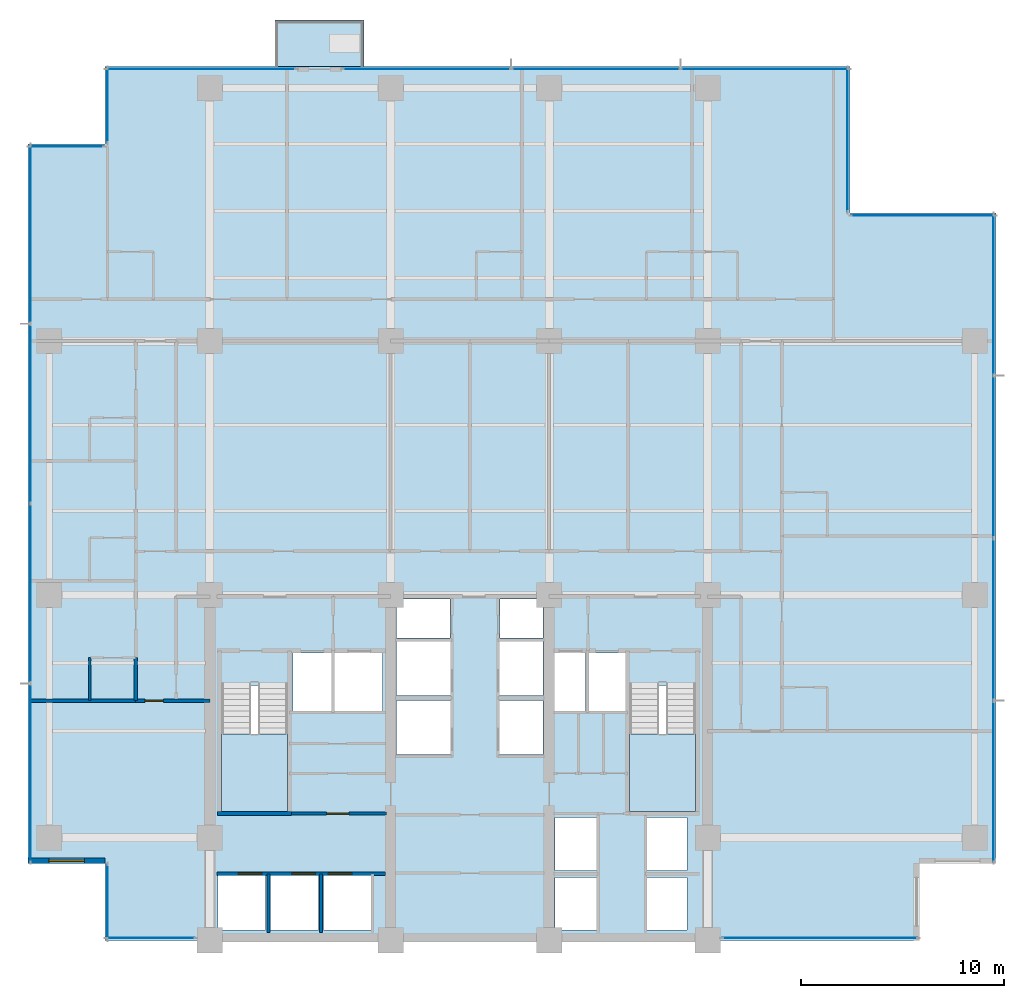
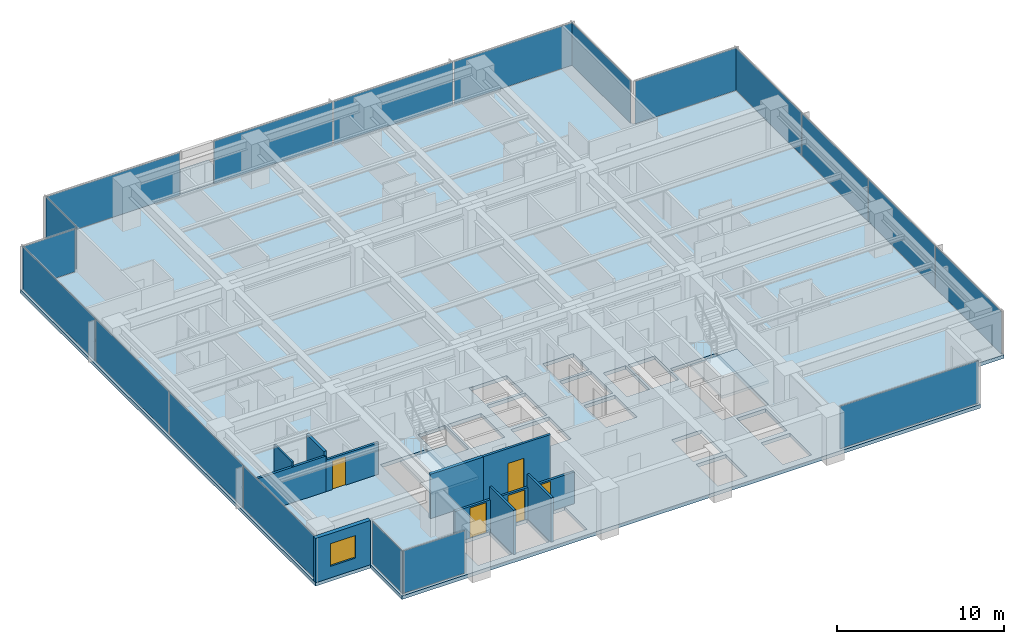
# One storey, part 7 of 17: 19 plates, 10 walls, 5 doors, 4 slabs, 1 window, 6 openings, 13 elements without a shape of their own.
"""IFC4 building model written with IfcOpenShell, lengths in metres."""

from ifc_helpers import new_model, si_unit, direction, frame, frame_2d, origin, origin_2d, place, context, subcontext, project, spatial, polyline, rectangle, outline, extrude, material, layer, layer_set, type_object, element, fill, aggregate, save


model = new_model("IFC4")

# Units and contexts
model_context = context("Model", 3, precision=1e-05, world=origin(), true_north=direction((0.0, 1.0)))
body_context = subcontext(model_context, "Body", "Model", "MODEL_VIEW")
ifc_project = project(units=[si_unit("LENGTHUNIT", "METRE"), si_unit("AREAUNIT", "SQUARE_METRE"), si_unit("VOLUMEUNIT", "CUBIC_METRE"), si_unit("PLANEANGLEUNIT", "RADIAN"), si_unit("MASSUNIT", "GRAM", prefix="KILO")], contexts=[model_context])

# Site, building, storey
site_placement = place(None, origin())
site = spatial("IfcSite", under=ifc_project, at=site_placement, CompositionType="ELEMENT")
building_placement = place(site_placement, origin())
building = spatial("IfcBuilding", under=site, at=building_placement, Name="Qalmaran Belvedere Hotel", CompositionType="ELEMENT")
storey_placement = place(building_placement, frame((0.0, 0.0, 91.699951171875)))
storey = spatial("IfcBuildingStorey", under=building, at=storey_placement, Name="L22", CompositionType="ELEMENT", Elevation=91.699951171875)

# Curtain wall, plate
ifc_material_1 = material(Name="Anodised Bronze Aluminium", Category="aluminium")
ifc_layer_1 = layer(ifc_material_1, 0.199951171875, Name="Anodised Bronze Aluminium")
ifc_layer_set_1 = layer_set([ifc_layer_1], Name="Anodised Bronze Aluminium")
curtain_wall_type = type_object("IfcCurtainWallType", Name="CW3-TOWER-LOWMID", PredefinedType="NOTDEFINED", material=ifc_layer_set_1)
curtain_wall_1_placement = place(storey_placement, origin())
curtain_wall_1 = element("IfcCurtainWall", 1, at=curtain_wall_1_placement, inside=storey, type_object=curtain_wall_type, Name="L22 Curtain Wall CW3", PredefinedType="NOTDEFINED")
ifc_material_2 = material(Name="Solar-Control Double Glazing", Category="glass")
ifc_layer_2 = layer(ifc_material_2, 0.028076171875, Name="Solar-Control Double Glazing")
ifc_layer_set_2 = layer_set([ifc_layer_2], Name="Solar-Control Double Glazing")
plate_type = type_object("IfcPlateType", Name="CWP-VISION-28", PredefinedType="CURTAIN_PANEL", material=ifc_layer_set_2)
plate_1_placement = place(storey_placement, frame((17.392578125, 3.6201171875, 0.06494140625), z_axis=(0.0, 0.0, 1.0), x_axis=(1.0, 0.0, 0.0)))
plate_1 = element("IfcPlate", 2, at=plate_1_placement, type_object=plate_type, Name="CW3 panel 1.1", PredefinedType="CURTAIN_PANEL", context=body_context, shape_type="SweptSolid", body=[
    extrude(rectangle(XDim=4.344970703125, YDim=0.028076171875, at=origin_2d()), origin(), (0.0, 0.0, 1.0), 3.110107421875),
])
aggregate(curtain_wall_1, [plate_1])

curtain_wall_2_placement = place(storey_placement, origin())
curtain_wall_2 = element("IfcCurtainWall", 3, at=curtain_wall_2_placement, inside=storey, type_object=curtain_wall_type, Name="L22 Curtain Wall CW3", PredefinedType="NOTDEFINED")
plate_2_placement = place(storey_placement, frame((50.33251953125, 3.6201171875, 0.06494140625), z_axis=(0.0, 0.0, 1.0), x_axis=(1.0, 0.0, 0.0)))
plate_2 = element("IfcPlate", 4, at=plate_2_placement, type_object=plate_type, Name="CW3 panel 1.1", PredefinedType="CURTAIN_PANEL", context=body_context, shape_type="SweptSolid", body=[
    extrude(rectangle(XDim=9.594970703125, YDim=0.028076171875, at=origin_2d()), origin(), (0.0, 0.0, 1.0), 3.110107421875),
])
aggregate(curtain_wall_2, [plate_2])

# Curtain wall, plates
curtain_wall_3_placement = place(storey_placement, origin())
curtain_wall_3 = element("IfcCurtainWall", 5, at=curtain_wall_3_placement, inside=storey, type_object=curtain_wall_type, Name="L22 Curtain Wall CW3", PredefinedType="NOTDEFINED")
plate_3_placement = place(storey_placement, frame((58.8798828125, 11.3173828125, 0.06494140625), z_axis=(0.0, 0.0, 1.0), x_axis=(0.0, 1.0, 0.0)))
plate_3 = element("IfcPlate", 6, at=plate_3_placement, type_object=plate_type, Name="CW3 panel 1.1", PredefinedType="CURTAIN_PANEL", context=body_context, shape_type="SweptSolid", body=[
    extrude(rectangle(XDim=7.89501953125, YDim=0.028076171875, at=origin_2d()), origin(), (0.0, 0.0, 1.0), 3.110107421875),
])
plate_4_placement = place(storey_placement, frame((58.8798828125, 19.300048828125, 0.06494140625), z_axis=(0.0, 0.0, 1.0), x_axis=(0.0, 1.0, 0.0)))
plate_4 = element("IfcPlate", 7, at=plate_4_placement, type_object=plate_type, Name="CW3 panel 2.1", PredefinedType="CURTAIN_PANEL", context=body_context, shape_type="SweptSolid", body=[
    extrude(rectangle(XDim=7.929931640625, YDim=0.028076171875, at=origin_2d()), origin(), (0.0, 0.0, 1.0), 3.110107421875),
])
plate_5_placement = place(storey_placement, frame((58.8798828125, 27.300048828125, 0.06494140625), z_axis=(0.0, 0.0, 1.0), x_axis=(0.0, 1.0, 0.0)))
plate_5 = element("IfcPlate", 8, at=plate_5_placement, type_object=plate_type, Name="CW3 panel 3.1", PredefinedType="CURTAIN_PANEL", context=body_context, shape_type="SweptSolid", body=[
    extrude(rectangle(XDim=7.929931640625, YDim=0.028076171875, at=origin_2d()), origin(), (0.0, 0.0, 1.0), 3.110107421875),
])
plate_6_placement = place(storey_placement, frame((58.8798828125, 35.282470703125, 0.06494140625), z_axis=(0.0, 0.0, 1.0), x_axis=(0.0, 1.0, 0.0)))
plate_6 = element("IfcPlate", 9, at=plate_6_placement, type_object=plate_type, Name="CW3 panel 4.1", PredefinedType="CURTAIN_PANEL", context=body_context, shape_type="SweptSolid", body=[
    extrude(rectangle(XDim=7.89501953125, YDim=0.028076171875, at=origin_2d()), origin(), (0.0, 0.0, 1.0), 3.110107421875),
])
aggregate(curtain_wall_3, [plate_3, plate_4, plate_5, plate_6])

# Curtain wall, plate
curtain_wall_4_placement = place(storey_placement, origin())
curtain_wall_4 = element("IfcCurtainWall", 10, at=curtain_wall_4_placement, inside=storey, type_object=curtain_wall_type, Name="L22 Curtain Wall CW3", PredefinedType="NOTDEFINED")
plate_7_placement = place(storey_placement, frame((55.39990234375, 39.179931640625, 0.06494140625), z_axis=(0.0, 0.0, 1.0), x_axis=(-1.0, 0.0, 0.0)))
plate_7 = element("IfcPlate", 11, at=plate_7_placement, type_object=plate_type, Name="CW3 panel 1.1", PredefinedType="CURTAIN_PANEL", context=body_context, shape_type="SweptSolid", body=[
    extrude(rectangle(XDim=7.06005859375, YDim=0.028076171875, at=origin_2d()), origin(), (0.0, 0.0, 1.0), 3.110107421875),
])
aggregate(curtain_wall_4, [plate_7])

curtain_wall_5_placement = place(storey_placement, origin())
curtain_wall_5 = element("IfcCurtainWall", 12, at=curtain_wall_5_placement, inside=storey, type_object=curtain_wall_type, Name="L22 Curtain Wall CW3", PredefinedType="NOTDEFINED")
plate_8_placement = place(storey_placement, frame((51.679931640625, 42.89990234375, 0.06494140625), z_axis=(0.0, 0.0, 1.0), x_axis=(0.0, 1.0, 0.0)))
plate_8 = element("IfcPlate", 13, at=plate_8_placement, type_object=plate_type, Name="CW3 panel 1.1", PredefinedType="CURTAIN_PANEL", context=body_context, shape_type="SweptSolid", body=[
    extrude(rectangle(XDim=7.06005859375, YDim=0.028076171875, at=origin_2d()), origin(), (0.0, 0.0, 1.0), 3.110107421875),
])
aggregate(curtain_wall_5, [plate_8])

curtain_wall_6_placement = place(storey_placement, origin())
curtain_wall_6 = element("IfcCurtainWall", 14, at=curtain_wall_6_placement, inside=storey, type_object=curtain_wall_type, Name="L22 Curtain Wall CW3", PredefinedType="NOTDEFINED")
plate_9_placement = place(storey_placement, frame((19.875, 46.3798828125, 0.06494140625), z_axis=(0.0, 0.0, 1.0), x_axis=(-1.0, 0.0, 0.0)))
plate_9 = element("IfcPlate", 15, at=plate_9_placement, type_object=plate_type, Name="CW3 panel 1.1", PredefinedType="CURTAIN_PANEL", context=body_context, shape_type="SweptSolid", body=[
    extrude(rectangle(XDim=9.31005859375, YDim=0.028076171875, at=origin_2d()), origin(), (0.0, 0.0, 1.0), 3.110107421875),
])
aggregate(curtain_wall_6, [plate_9])

# Curtain wall, plates
curtain_wall_7_placement = place(storey_placement, origin())
curtain_wall_7 = element("IfcCurtainWall", 16, at=curtain_wall_7_placement, inside=storey, type_object=curtain_wall_type, Name="L22 Curtain Wall CW3", PredefinedType="NOTDEFINED")
plate_10_placement = place(storey_placement, frame((47.61572265625, 46.3798828125, 0.06494140625), z_axis=(0.0, 0.0, 1.0), x_axis=(-1.0, 0.0, 0.0)))
plate_10 = element("IfcPlate", 17, at=plate_10_placement, type_object=plate_type, Name="CW3 panel 1.1", PredefinedType="CURTAIN_PANEL", context=body_context, shape_type="SweptSolid", body=[
    extrude(rectangle(XDim=8.228271484375, YDim=0.028076171875, at=origin_2d()), origin(), (0.0, 0.0, 1.0), 3.110107421875),
])
plate_11_placement = place(storey_placement, frame((39.300048828125, 46.3798828125, 0.06494140625), z_axis=(0.0, 0.0, 1.0), x_axis=(-1.0, 0.0, 0.0)))
plate_11 = element("IfcPlate", 18, at=plate_11_placement, type_object=plate_type, Name="CW3 panel 2.1", PredefinedType="CURTAIN_PANEL", context=body_context, shape_type="SweptSolid", body=[
    extrude(rectangle(XDim=8.263427734375, YDim=0.028076171875, at=origin_2d()), origin(), (0.0, 0.0, 1.0), 3.110107421875),
])
plate_12_placement = place(storey_placement, frame((30.984130859375, 46.3798828125, 0.06494140625), z_axis=(0.0, 0.0, 1.0), x_axis=(-1.0, 0.0, 0.0)))
plate_12 = element("IfcPlate", 19, at=plate_12_placement, type_object=plate_type, Name="CW3 panel 3.1", PredefinedType="CURTAIN_PANEL", context=body_context, shape_type="SweptSolid", body=[
    extrude(rectangle(XDim=8.228271484375, YDim=0.028076171875, at=origin_2d()), origin(), (0.0, 0.0, 1.0), 3.110107421875),
])
aggregate(curtain_wall_7, [plate_10, plate_11, plate_12])

# Curtain wall, plate
curtain_wall_8_placement = place(storey_placement, origin())
curtain_wall_8 = element("IfcCurtainWall", 20, at=curtain_wall_8_placement, inside=storey, type_object=curtain_wall_type, Name="L22 Curtain Wall CW3", PredefinedType="NOTDEFINED")
plate_13_placement = place(storey_placement, frame((15.27001953125, 44.60009765625, 0.06494140625), z_axis=(0.0, 0.0, 1.0), x_axis=(0.0, -1.0, 0.0)))
plate_13 = element("IfcPlate", 21, at=plate_13_placement, type_object=plate_type, Name="CW3 panel 1.1", PredefinedType="CURTAIN_PANEL", context=body_context, shape_type="SweptSolid", body=[
    extrude(rectangle(XDim=3.659912109375, YDim=0.028076171875, at=origin_2d()), origin(), (0.0, 0.0, 1.0), 3.110107421875),
])
aggregate(curtain_wall_8, [plate_13])

curtain_wall_9_placement = place(storey_placement, origin())
curtain_wall_9 = element("IfcCurtainWall", 22, at=curtain_wall_9_placement, inside=storey, type_object=curtain_wall_type, Name="L22 Curtain Wall CW3", PredefinedType="NOTDEFINED")
plate_14_placement = place(storey_placement, frame((13.25, 42.580078125, 0.06494140625), z_axis=(0.0, 0.0, 1.0), x_axis=(-1.0, 0.0, 0.0)))
plate_14 = element("IfcPlate", 23, at=plate_14_placement, type_object=plate_type, Name="CW3 panel 1.1", PredefinedType="CURTAIN_PANEL", context=body_context, shape_type="SweptSolid", body=[
    extrude(rectangle(XDim=3.659912109375, YDim=0.028076171875, at=origin_2d()), origin(), (0.0, 0.0, 1.0), 3.110107421875),
])
aggregate(curtain_wall_9, [plate_14])

# Curtain wall, plates
curtain_wall_10_placement = place(storey_placement, origin())
curtain_wall_10 = element("IfcCurtainWall", 24, at=curtain_wall_10_placement, inside=storey, type_object=curtain_wall_type, Name="L22 Curtain Wall CW3", PredefinedType="NOTDEFINED")
plate_15_placement = place(storey_placement, frame((11.469970703125, 38.257568359375, 0.06494140625), z_axis=(0.0, 0.0, 1.0), x_axis=(0.0, -1.0, 0.0)))
plate_15 = element("IfcPlate", 25, at=plate_15_placement, type_object=plate_type, Name="CW3 panel 1.1", PredefinedType="CURTAIN_PANEL", context=body_context, shape_type="SweptSolid", body=[
    extrude(rectangle(XDim=8.7451171875, YDim=0.028076171875, at=origin_2d()), origin(), (0.0, 0.0, 1.0), 3.110107421875),
])
plate_16_placement = place(storey_placement, frame((11.469970703125, 29.425048828125, 0.06494140625), z_axis=(0.0, 0.0, 1.0), x_axis=(0.0, -1.0, 0.0)))
plate_16 = element("IfcPlate", 26, at=plate_16_placement, type_object=plate_type, Name="CW3 panel 2.1", PredefinedType="CURTAIN_PANEL", context=body_context, shape_type="SweptSolid", body=[
    extrude(rectangle(XDim=8.780029296875, YDim=0.028076171875, at=origin_2d()), origin(), (0.0, 0.0, 1.0), 3.110107421875),
])
plate_17_placement = place(storey_placement, frame((11.469970703125, 20.574951171875, 0.06494140625), z_axis=(0.0, 0.0, 1.0), x_axis=(0.0, -1.0, 0.0)))
plate_17 = element("IfcPlate", 27, at=plate_17_placement, type_object=plate_type, Name="CW3 panel 3.1", PredefinedType="CURTAIN_PANEL", context=body_context, shape_type="SweptSolid", body=[
    extrude(rectangle(XDim=8.780029296875, YDim=0.028076171875, at=origin_2d()), origin(), (0.0, 0.0, 1.0), 3.110107421875),
])
plate_18_placement = place(storey_placement, frame((11.469970703125, 11.742431640625, 0.06494140625), z_axis=(0.0, 0.0, 1.0), x_axis=(0.0, -1.0, 0.0)))
plate_18 = element("IfcPlate", 28, at=plate_18_placement, type_object=plate_type, Name="CW3 panel 4.1", PredefinedType="CURTAIN_PANEL", context=body_context, shape_type="SweptSolid", body=[
    extrude(rectangle(XDim=8.7451171875, YDim=0.028076171875, at=origin_2d()), origin(), (0.0, 0.0, 1.0), 3.110107421875),
])
aggregate(curtain_wall_10, [plate_15, plate_16, plate_17, plate_18])

# Curtain wall, plate
curtain_wall_11_placement = place(storey_placement, origin())
curtain_wall_11 = element("IfcCurtainWall", 29, at=curtain_wall_11_placement, inside=storey, type_object=curtain_wall_type, Name="L22 Curtain Wall CW3", PredefinedType="NOTDEFINED")
plate_19_placement = place(storey_placement, frame((15.27001953125, 5.39990234375, 0.06494140625), z_axis=(0.0, 0.0, 1.0), x_axis=(0.0, -1.0, 0.0)))
plate_19 = element("IfcPlate", 30, at=plate_19_placement, type_object=plate_type, Name="CW3 panel 1.1", PredefinedType="CURTAIN_PANEL", context=body_context, shape_type="SweptSolid", body=[
    extrude(rectangle(XDim=3.659912109375, YDim=0.028076171875, at=origin_2d()), origin(), (0.0, 0.0, 1.0), 3.110107421875),
])
aggregate(curtain_wall_11, [plate_19])

# Slab
ifc_material_3 = material(Name="Concrete C40/50", Category="concrete")
ifc_layer_3 = layer(ifc_material_3, 0.219970703125, Name="Concrete C40/50")
ifc_layer_set_3 = layer_set([ifc_layer_3], Name="Concrete C40/50")
slab_type_1 = type_object("IfcSlabType", Name="SLB-BAL-220", PredefinedType="USERDEFINED", material=ifc_layer_set_3)
slab_1_placement = place(storey_placement, frame((0.0, 0.0, -0.219970703125)))
element("IfcSlab", 31, at=slab_1_placement, inside=storey, type_object=slab_type_1, Name="L22 Planted Tree Balcony Slab 1", ObjectType="BALCONY", PredefinedType="USERDEFINED", context=body_context, shape_type="SweptSolid", body=[
    extrude(outline(polyline([(23.5, 46.5), (27.89990234375, 46.5), (27.89990234375, 48.800048828125), (23.5, 48.800048828125), (23.5, 46.5)])), origin(), (0.0, 0.0, 1.0), 0.219970703125),
])

# Stair, slab
stair_type_1 = type_object("IfcStairType", Name="STR-ST-1-1450-R1750", PredefinedType="HALF_TURN_STAIR", material=ifc_material_3)
stair_1_placement = place(storey_placement, origin())
stair_1 = element("IfcStair", 32, at=stair_1_placement, inside=storey, type_object=stair_type_1, Name="L22 West Core Exit Stair ST-1", PredefinedType="HALF_TURN_STAIR")
ifc_layer_4 = layer(ifc_material_3, 0.199951171875, Name="Concrete C40/50")
ifc_layer_set_4 = layer_set([ifc_layer_4], Name="Concrete C40/50")
slab_type_2 = type_object("IfcSlabType", Name="SLB-STAIR-LANDING-200", PredefinedType="LANDING", material=ifc_layer_set_4)
slab_2_placement = place(storey_placement, frame((0.0, 0.0, 1.550048828125)))
slab_2 = element("IfcSlab", 33, at=slab_2_placement, type_object=slab_type_2, Name="ST-1 landing 1", PredefinedType="LANDING", context=body_context, shape_type="SweptSolid", body=[
    extrude(outline(polyline([(20.8798828125, 13.669921875), (20.8798828125, 9.85009765625), (24.1201171875, 9.85009765625), (24.1201171875, 13.669921875), (20.8798828125, 13.669921875)])), origin(), (0.0, 0.0, 1.0), 0.199951171875),
])
aggregate(stair_1, [slab_2])

stair_type_2 = type_object("IfcStairType", Name="STR-ST-2-1450-R1750", PredefinedType="HALF_TURN_STAIR", material=ifc_material_3)
stair_2_placement = place(storey_placement, origin())
stair_2 = element("IfcStair", 34, at=stair_2_placement, inside=storey, type_object=stair_type_2, Name="L22 East Core Exit Stair ST-2", PredefinedType="HALF_TURN_STAIR")
slab_3_placement = place(storey_placement, frame((0.0, 0.0, 1.550048828125)))
slab_3 = element("IfcSlab", 35, at=slab_3_placement, type_object=slab_type_2, Name="ST-2 landing 1", PredefinedType="LANDING", context=body_context, shape_type="SweptSolid", body=[
    extrude(outline(polyline([(40.9599609375, 13.669921875), (40.9599609375, 9.85009765625), (44.199951171875, 9.85009765625), (44.199951171875, 13.669921875), (40.9599609375, 13.669921875)])), origin(), (0.0, 0.0, 1.0), 0.199951171875),
])
aggregate(stair_2, [slab_3])

# Slab
ifc_layer_5 = layer(ifc_material_3, 0.260009765625, Name="Concrete C40/50")
ifc_layer_set_5 = layer_set([ifc_layer_5], Name="Concrete C40/50")
slab_type_3 = type_object("IfcSlabType", Name="SLB-Z2-260", PredefinedType="FLOOR", material=ifc_layer_set_5)
slab_4_placement = place(storey_placement, frame((0.0, 0.0, -0.260009765625)))
element("IfcSlab", 36, at=slab_4_placement, inside=storey, type_object=slab_type_3, Name="L22 Structural Floor Slab", PredefinedType="FLOOR", context=body_context, shape_type="SweptSolid", body=[
    extrude(outline(polyline([(15.14990234375, 3.5), (55.199951171875, 3.5), (55.199951171875, 7.300048828125), (59.0, 7.300048828125), (59.0, 39.300048828125), (51.800048828125, 39.300048828125), (51.800048828125, 46.5), (15.14990234375, 46.5), (15.14990234375, 42.699951171875), (11.35009765625, 42.699951171875), (11.35009765625, 7.300048828125), (15.14990234375, 7.300048828125), (15.14990234375, 3.5)]), holes=[polyline([(20.8798828125, 9.85009765625), (24.1201171875, 9.85009765625), (24.1201171875, 16.0400390625), (20.8798828125, 16.0400390625), (20.8798828125, 9.85009765625)]), polyline([(40.9599609375, 9.85009765625), (44.199951171875, 9.85009765625), (44.199951171875, 16.0400390625), (40.9599609375, 16.0400390625), (40.9599609375, 9.85009765625)]), polyline([(29.4951171875, 12.64990234375), (32.14990234375, 12.64990234375), (32.14990234375, 15.300048828125), (29.4951171875, 15.300048828125), (29.4951171875, 12.64990234375)]), polyline([(29.4951171875, 15.550048828125), (32.14990234375, 15.550048828125), (32.14990234375, 18.199951171875), (29.4951171875, 18.199951171875), (29.4951171875, 15.550048828125)]), polyline([(34.550048828125, 12.64990234375), (36.705078125, 12.64990234375), (36.705078125, 15.300048828125), (34.550048828125, 15.300048828125), (34.550048828125, 12.64990234375)]), polyline([(34.550048828125, 15.550048828125), (36.705078125, 15.550048828125), (36.705078125, 18.199951171875), (34.550048828125, 18.199951171875), (34.550048828125, 15.550048828125)]), polyline([(37.300048828125, 4.0), (39.35009765625, 4.0), (39.35009765625, 6.60009765625), (37.300048828125, 6.60009765625), (37.300048828125, 4.0)]), polyline([(37.300048828125, 6.949951171875), (39.35009765625, 6.949951171875), (39.35009765625, 9.550048828125), (37.300048828125, 9.550048828125), (37.300048828125, 6.949951171875)]), polyline([(41.800048828125, 4.0), (43.800048828125, 4.0), (43.800048828125, 6.60009765625), (41.800048828125, 6.60009765625), (41.800048828125, 4.0)]), polyline([(41.800048828125, 6.949951171875), (43.800048828125, 6.949951171875), (43.800048828125, 9.550048828125), (41.800048828125, 9.550048828125), (41.800048828125, 6.949951171875)]), polyline([(20.699951171875, 4.0), (23.050048828125, 4.0), (23.050048828125, 6.699951171875), (20.699951171875, 6.699951171875), (20.699951171875, 4.0)]), polyline([(23.300048828125, 4.0), (25.64990234375, 4.0), (25.64990234375, 6.699951171875), (23.300048828125, 6.699951171875), (23.300048828125, 4.0)]), polyline([(25.89990234375, 4.0), (28.25, 4.0), (28.25, 6.699951171875), (25.89990234375, 6.699951171875), (25.89990234375, 4.0)]), polyline([(24.39990234375, 14.800048828125), (26.300048828125, 14.800048828125), (26.300048828125, 17.64990234375), (24.39990234375, 17.64990234375), (24.39990234375, 14.800048828125)]), polyline([(38.949951171875, 14.800048828125), (40.820068359375, 14.800048828125), (40.820068359375, 17.64990234375), (38.949951171875, 17.64990234375), (38.949951171875, 14.800048828125)]), polyline([(26.449951171875, 14.800048828125), (28.800048828125, 14.800048828125), (28.800048828125, 17.64990234375), (26.449951171875, 17.64990234375), (26.449951171875, 14.800048828125)]), polyline([(37.25, 14.800048828125), (38.800048828125, 14.800048828125), (38.800048828125, 17.64990234375), (37.25, 17.64990234375), (37.25, 14.800048828125)]), polyline([(29.4951171875, 18.3798828125), (32.1201171875, 18.3798828125), (32.1201171875, 20.300048828125), (29.4951171875, 20.300048828125), (29.4951171875, 18.3798828125)]), polyline([(34.580078125, 18.3798828125), (36.705078125, 18.3798828125), (36.705078125, 20.300048828125), (34.580078125, 20.300048828125), (34.580078125, 18.3798828125)])]), origin(), (0.0, 0.0, 1.0), 0.260009765625),
])

# Wall, opening, window
ifc_material_4 = material(Name="Anodised Bronze Cladding")
ifc_layer_6 = layer(ifc_material_4, 0.280029296875, Name="Anodised Bronze Cladding")
ifc_layer_set_6 = layer_set([ifc_layer_6], Name="Anodised Bronze Cladding")
wall_type_1 = type_object("IfcWallType", Name="WL-EXT-BRNZ-280", PredefinedType="SOLIDWALL", material=ifc_layer_set_6)
wall_1_placement = place(storey_placement, frame((11.35009765625, 7.419921875, 0.0), z_axis=(0.0, 0.0, 1.0), x_axis=(1.0, 0.0, 0.0)))
wall_1 = element("IfcWall", 37, at=wall_1_placement, inside=storey, type_object=wall_type_1, Name="L22 Corner Notch Wall 10", PredefinedType="SOLIDWALL", context=body_context, shape_type="SweptSolid", body=[
    extrude(rectangle(XDim=3.7998046875, YDim=0.280029296875, at=frame_2d((1.89990234375, 0.0))), origin(), (0.0, 0.0, 1.0), 3.239990234375),
])
opening_1_placement = place(wall_1_placement, frame((1.02490234375, 0.0, 0.85009765625)))
opening_1 = element("IfcOpeningElement", 38, at=opening_1_placement, cuts=wall_1, Name="Opening W-N17", PredefinedType="OPENING", context=body_context, shape_type="SweptSolid", body=[
    extrude(rectangle(XDim=1.75, YDim=1.64990234375, at=frame_2d((0.875, 0.824951171875))), frame((0.0, 0.14990234375, 0.0), z_axis=(0.0, -1.0, 0.0), x_axis=(1.0, 0.0, 0.0)), (0.0, 0.0, 1.0), 0.300048828125),
])
window_type = type_object("IfcWindowType", Name="WN-NTC-1750X1650", PartitioningType="SINGLE_PANEL", PredefinedType="WINDOW", material=ifc_material_2)
window_placement = place(opening_1_placement, origin())
window = element("IfcWindow", 39, at=window_placement, inside=storey, type_object=window_type, Name="L22 Corner Notch Window 10", OverallHeight=1.64990234375, OverallWidth=1.75, PartitioningType="SINGLE_PANEL", PredefinedType="WINDOW", context=body_context, shape_type="SweptSolid", body=[
    extrude(rectangle(XDim=1.75, YDim=1.64990234375, at=frame_2d((0.875, 0.824951171875))), frame((0.0, 0.030029296875, 0.0), z_axis=(0.0, -1.0, 0.0), x_axis=(1.0, 0.0, 0.0)), (0.0, 0.0, 1.0), 0.06005859375),
])
fill(opening_1, window)

# Walls
ifc_material_5 = material(Name="Moisture-Resistant Gypsum")
ifc_layer_7 = layer(ifc_material_5, 0.1201171875, Name="Moisture-Resistant Gypsum")
ifc_layer_set_7 = layer_set([ifc_layer_7], Name="Moisture-Resistant Gypsum")
wall_type_2 = type_object("IfcWallType", Name="WL-INT-120-BATH", PredefinedType="PARTITIONING", material=ifc_layer_set_7)
wall_2_placement = place(storey_placement, frame((14.39990234375, 15.300048828125, 0.0), z_axis=(0.0, 0.0, 1.0), x_axis=(0.0, 1.0, 0.0)))
element("IfcWall", 40, at=wall_2_placement, inside=storey, type_object=wall_type_2, Name="L22 Partition WL-L22-WBS00", PredefinedType="PARTITIONING", context=body_context, shape_type="SweptSolid", body=[
    extrude(rectangle(XDim=2.119873046875, YDim=0.1201171875, at=frame_2d((1.06005859375, 0.0))), origin(), (0.0, 0.0, 1.0), 2.922119140625),
])
ifc_material_6 = material(Name="Gypsum Stud Partition")
ifc_layer_8 = layer(ifc_material_6, 0.14990234375, Name="Gypsum Stud Partition")
ifc_layer_set_8 = layer_set([ifc_layer_8], Name="Gypsum Stud Partition")
wall_type_3 = type_object("IfcWallType", Name="WL-INT-150-EI120", PredefinedType="PARTITIONING", material=ifc_layer_set_8)
for number, where, z_axis, x_axis, name in (
    (41, (23.179931640625, 3.89990234375, 0.0), (0.0, 0.0, 1.0), (0.0, 1.0, 0.0), "L22 Partition WL-POM1-L22"),
    (42, (25.780029296875, 3.89990234375, 0.0), (0.0, 0.0, 1.0), (0.0, 1.0, 0.0), "L22 Partition WL-POM2-L22"),
):
    element("IfcWall", number, at=place(storey_placement, frame(where, z_axis=z_axis, x_axis=x_axis)), inside=storey, type_object=wall_type_3, Name=name, PredefinedType="PARTITIONING", context=body_context, shape_type="SweptSolid", body=[
        extrude(rectangle(XDim=2.880126953125, YDim=0.14990234375, at=frame_2d((1.43994140625, 0.0))), origin(), (0.0, 0.0, 1.0), 3.239990234375),
    ])

# Wall, openings, doors
ifc_layer_9 = layer(ifc_material_6, 0.159912109375, Name="Gypsum Stud Partition")
ifc_layer_set_9 = layer_set([ifc_layer_9], Name="Gypsum Stud Partition")
wall_type_4 = type_object("IfcWallType", Name="WL-INT-160-EI120", PredefinedType="PARTITIONING", material=ifc_layer_set_9)
wall_3_placement = place(storey_placement, frame((20.64990234375, 6.780029296875, 0.0), z_axis=(0.0, 0.0, 1.0), x_axis=(1.0, 0.0, 0.0)))
wall_3 = element("IfcWall", 43, at=wall_3_placement, inside=storey, type_object=wall_type_4, Name="L22 Partition WL-POS-L22", PredefinedType="PARTITIONING", context=body_context, shape_type="SweptSolid", body=[
    extrude(rectangle(XDim=8.300048828125, YDim=0.159912109375, at=frame_2d((4.14990234375, 0.0))), origin(), (0.0, 0.0, 1.0), 2.31298828125),
])
opening_2_placement = place(wall_3_placement, frame((3.69482421875, 0.0, 0.0)))
opening_2 = element("IfcOpeningElement", 44, at=opening_2_placement, cuts=wall_3, Name="Opening LD-PO", PredefinedType="OPENING", context=body_context, shape_type="SweptSolid", body=[
    extrude(rectangle(XDim=1.14990234375, YDim=2.199951171875, at=frame_2d((0.574951171875, 1.10009765625))), frame((0.0, 0.08984375, 0.0), z_axis=(0.0, -1.0, 0.0), x_axis=(1.0, 0.0, 0.0)), (0.0, 0.0, 1.0), 0.179931640625),
])
opening_3_placement = place(wall_3_placement, frame((5.4921875, 0.0, 0.0)))
opening_3 = element("IfcOpeningElement", 45, at=opening_3_placement, cuts=wall_3, Name="Opening LD-PO", PredefinedType="OPENING", context=body_context, shape_type="SweptSolid", body=[
    extrude(rectangle(XDim=1.14990234375, YDim=2.199951171875, at=frame_2d((0.574951171875, 1.10009765625))), frame((0.0, 0.08984375, 0.0), z_axis=(0.0, -1.0, 0.0), x_axis=(1.0, 0.0, 0.0)), (0.0, 0.0, 1.0), 0.179931640625),
])
opening_4_placement = place(wall_3_placement, frame((1.058837890625, 0.0, 0.0)))
opening_4 = element("IfcOpeningElement", 46, at=opening_4_placement, cuts=wall_3, Name="Opening LD-PO", PredefinedType="OPENING", context=body_context, shape_type="SweptSolid", body=[
    extrude(rectangle(XDim=1.14990234375, YDim=2.199951171875, at=frame_2d((0.574951171875, 1.10009765625))), frame((0.0, 0.08984375, 0.0), z_axis=(0.0, -1.0, 0.0), x_axis=(1.0, 0.0, 0.0)), (0.0, 0.0, 1.0), 0.179931640625),
])
door_type_1 = type_object("IfcDoorType", Name="DR-LIFT-PO-1150X2200", OperationType="DOUBLE_DOOR_SLIDING", PredefinedType="DOOR", material=ifc_material_1)
door_1_placement = place(opening_2_placement, origin())
door_1 = element("IfcDoor", 47, at=door_1_placement, inside=storey, type_object=door_type_1, Name="L22 PO1 Shuttle Landing Door", OperationType="DOUBLE_DOOR_SLIDING", OverallHeight=2.199951171875, OverallWidth=1.14990234375, PredefinedType="DOOR", context=body_context, shape_type="SweptSolid", body=[
    extrude(rectangle(XDim=1.14990234375, YDim=2.199951171875, at=frame_2d((0.574951171875, 1.10009765625))), frame((0.0, 0.02490234375, 0.0), z_axis=(0.0, -1.0, 0.0), x_axis=(1.0, 0.0, 0.0)), (0.0, 0.0, 1.0), 0.050048828125),
])
fill(opening_2, door_1)
door_2_placement = place(opening_3_placement, origin())
door_2 = element("IfcDoor", 48, at=door_2_placement, inside=storey, type_object=door_type_1, Name="L22 PO2 Shuttle Landing Door", OperationType="DOUBLE_DOOR_SLIDING", OverallHeight=2.199951171875, OverallWidth=1.14990234375, PredefinedType="DOOR", context=body_context, shape_type="SweptSolid", body=[
    extrude(rectangle(XDim=1.14990234375, YDim=2.199951171875, at=frame_2d((0.574951171875, 1.10009765625))), frame((0.0, 0.02490234375, 0.0), z_axis=(0.0, -1.0, 0.0), x_axis=(1.0, 0.0, 0.0)), (0.0, 0.0, 1.0), 0.050048828125),
])
fill(opening_3, door_2)
door_3_placement = place(opening_4_placement, origin())
door_3 = element("IfcDoor", 49, at=door_3_placement, inside=storey, type_object=door_type_1, Name="L22 PO3 Shuttle Landing Door", OperationType="DOUBLE_DOOR_SLIDING", OverallHeight=2.199951171875, OverallWidth=1.14990234375, PredefinedType="DOOR", context=body_context, shape_type="SweptSolid", body=[
    extrude(rectangle(XDim=1.14990234375, YDim=2.199951171875, at=frame_2d((0.574951171875, 1.10009765625))), frame((0.0, 0.02490234375, 0.0), z_axis=(0.0, -1.0, 0.0), x_axis=(1.0, 0.0, 0.0)), (0.0, 0.0, 1.0), 0.050048828125),
])
fill(opening_4, door_3)

# Wall, opening, door
wall_4_placement = place(storey_placement, frame((24.199951171875, 9.739990234375, 0.0), z_axis=(0.0, 0.0, 1.0), x_axis=(1.0, 0.0, 0.0)))
wall_4 = element("IfcWall", 50, at=wall_4_placement, inside=storey, type_object=wall_type_4, Name="L22 Partition WL-PON-L22", PredefinedType="PARTITIONING", context=body_context, shape_type="SweptSolid", body=[
    extrude(rectangle(XDim=4.800048828125, YDim=0.159912109375, at=frame_2d((2.39990234375, 0.0))), origin(), (0.0, 0.0, 1.0), 3.239990234375),
])
opening_5_placement = place(wall_4_placement, frame((1.85009765625, 0.0, 0.0)))
opening_5 = element("IfcOpeningElement", 51, at=opening_5_placement, cuts=wall_4, Name="Opening FD90", PredefinedType="OPENING", context=body_context, shape_type="SweptSolid", body=[
    extrude(rectangle(XDim=1.10009765625, YDim=2.14990234375, at=frame_2d((0.550048828125, 1.074951171875))), frame((0.0, 0.08984375, 0.0), z_axis=(0.0, -1.0, 0.0), x_axis=(1.0, 0.0, 0.0)), (0.0, 0.0, 1.0), 0.179931640625),
])
ifc_material_7 = material(Name="Steel S355JR", Category="steel")
door_type_2 = type_object("IfcDoorType", Name="DR-FD90-1100X2150", OperationType="NOTDEFINED", PredefinedType="DOOR", material=ifc_material_7)
door_4_placement = place(opening_5_placement, origin())
door_4 = element("IfcDoor", 52, at=door_4_placement, inside=storey, type_object=door_type_2, Name="L22 Shuttle Lobby Passage Door", OperationType="SINGLE_SWING_RIGHT", OverallHeight=2.14990234375, OverallWidth=1.10009765625, PredefinedType="DOOR", context=body_context, shape_type="SweptSolid", body=[
    extrude(rectangle(XDim=1.10009765625, YDim=2.14990234375, at=frame_2d((0.550048828125, 1.074951171875))), frame((0.0, 0.02490234375, 0.0), z_axis=(0.0, -1.0, 0.0), x_axis=(1.0, 0.0, 0.0)), (0.0, 0.0, 1.0), 0.050048828125),
])
fill(opening_5, door_4)

ifc_layer_10 = layer(ifc_material_6, 0.159912109375, Name="Gypsum Stud Partition")
ifc_layer_set_10 = layer_set([ifc_layer_10], Name="Gypsum Stud Partition")
wall_type_5 = type_object("IfcWallType", Name="WL-INT-160-EI60", PredefinedType="PARTITIONING", material=ifc_layer_set_10)
wall_5_placement = place(storey_placement, frame((16.64990234375, 15.300048828125, 0.0), z_axis=(0.0, 0.0, 1.0), x_axis=(1.0, 0.0, 0.0)))
wall_5 = element("IfcWall", 53, at=wall_5_placement, inside=storey, type_object=wall_type_5, Name="L22 Partition WL-L22-SWRL", PredefinedType="PARTITIONING", context=body_context, shape_type="SweptSolid", body=[
    extrude(rectangle(XDim=3.650146484375, YDim=0.159912109375, at=frame_2d((1.8251953125, 0.0))), origin(), (0.0, 0.0, 1.0), 2.31298828125),
])
opening_6_placement = place(wall_5_placement, frame((1.369873046875, 0.0, 0.0), z_axis=(0.0, 0.0, 1.0), x_axis=(-1.0, 0.0, 0.0)))
opening_6 = element("IfcOpeningElement", 54, at=opening_6_placement, cuts=wall_5, Name="Opening FD60S1", PredefinedType="OPENING", context=body_context, shape_type="SweptSolid", body=[
    extrude(rectangle(XDim=0.919921875, YDim=2.080078125, at=frame_2d((0.4599609375, 1.0400390625))), frame((0.0, 0.08984375, 0.0), z_axis=(0.0, -1.0, 0.0), x_axis=(1.0, 0.0, 0.0)), (0.0, 0.0, 1.0), 0.179931640625),
])
ifc_material_8 = material(Name="Engineered Oak Veneer")
door_type_3 = type_object("IfcDoorType", Name="DR-FD60S-920X2080", OperationType="NOTDEFINED", PredefinedType="DOOR", material=ifc_material_8)
door_5_placement = place(opening_6_placement, origin())
door_5 = element("IfcDoor", 55, at=door_5_placement, inside=storey, type_object=door_type_3, Name="L22 SW Lounge Door", OperationType="SINGLE_SWING_RIGHT", OverallHeight=2.080078125, OverallWidth=0.919921875, PredefinedType="DOOR", context=body_context, shape_type="SweptSolid", body=[
    extrude(rectangle(XDim=0.919921875, YDim=2.080078125, at=frame_2d((0.4599609375, 1.0400390625))), frame((0.0, 0.02490234375, 0.0), z_axis=(0.0, -1.0, 0.0), x_axis=(1.0, 0.0, 0.0)), (0.0, 0.0, 1.0), 0.050048828125),
])
fill(opening_6, door_5)

# Walls
wall_6_placement = place(storey_placement, frame((11.469970703125, 15.300048828125, 0.0), z_axis=(0.0, 0.0, 1.0), x_axis=(1.0, 0.0, 0.0)))
element("IfcWall", 56, at=wall_6_placement, inside=storey, type_object=wall_type_5, Name="L22 Partition WL-L22-WBOT", PredefinedType="PARTITIONING", context=body_context, shape_type="SweptSolid", body=[
    extrude(rectangle(XDim=5.179931640625, YDim=0.159912109375, at=frame_2d((2.58984375, 0.0))), origin(), (0.0, 0.0, 1.0), 2.60302734375),
])
ifc_layer_11 = layer(ifc_material_6, 0.179931640625, Name="Gypsum Stud Partition")
ifc_layer_set_11 = layer_set([ifc_layer_11], Name="Gypsum Stud Partition")
wall_type_6 = type_object("IfcWallType", Name="WL-INT-180-EI60", PredefinedType="PARTITIONING", material=ifc_layer_set_11)
wall_7_placement = place(storey_placement, frame((16.64990234375, 15.300048828125, 0.0), z_axis=(0.0, 0.0, 1.0), x_axis=(0.0, 1.0, 0.0)))
element("IfcWall", 57, at=wall_7_placement, inside=storey, type_object=wall_type_6, Name="L22 Partition WL-L22-WBC00", PredefinedType="PARTITIONING", context=body_context, shape_type="SweptSolid", body=[
    extrude(rectangle(XDim=2.119873046875, YDim=0.179931640625, at=frame_2d((1.06005859375, 0.0))), origin(), (0.0, 0.0, 1.0), 2.922119140625),
])
ifc_material_9 = material(Name="Concrete C50/60", Category="concrete")
ifc_layer_12 = layer(ifc_material_9, 0.2099609375, Name="Concrete C50/60")
ifc_layer_set_12 = layer_set([ifc_layer_12], Name="Concrete C50/60")
wall_type_7 = type_object("IfcWallType", Name="WL-STAIR-210-C50", PredefinedType="SHEAR", material=ifc_layer_set_12)
wall_8_placement = place(storey_placement, frame((20.669921875, 9.7451171875, 0.0), z_axis=(0.0, 0.0, 1.0), x_axis=(1.0, 0.0, 0.0)))
element("IfcWall", 58, at=wall_8_placement, inside=storey, type_object=wall_type_7, Name="L22 Stair ST-1 South Bearing Wall", PredefinedType="SHEAR", context=body_context, shape_type="SweptSolid", body=[
    extrude(rectangle(XDim=3.66015625, YDim=0.2099609375, at=frame_2d((1.830078125, 0.0))), origin(), (0.0, 0.0, 1.0), 3.239990234375),
])

save(model, "model.ifc")
